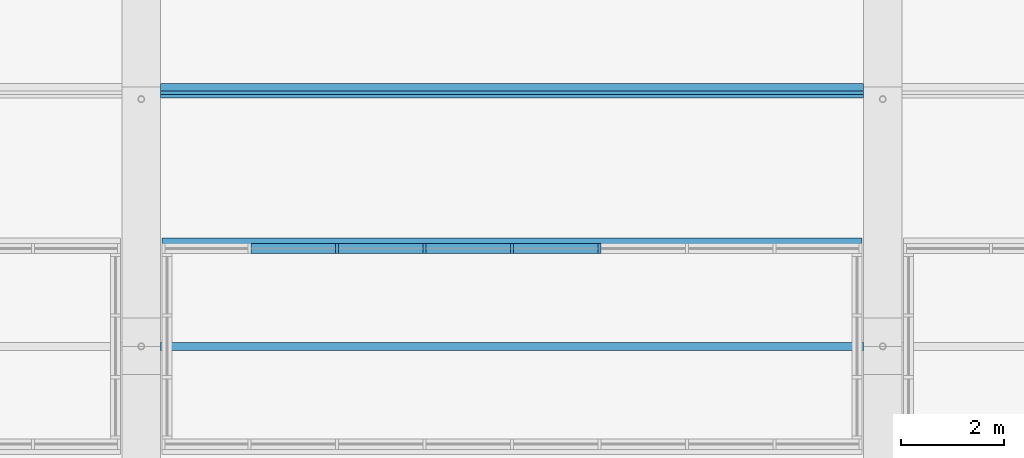
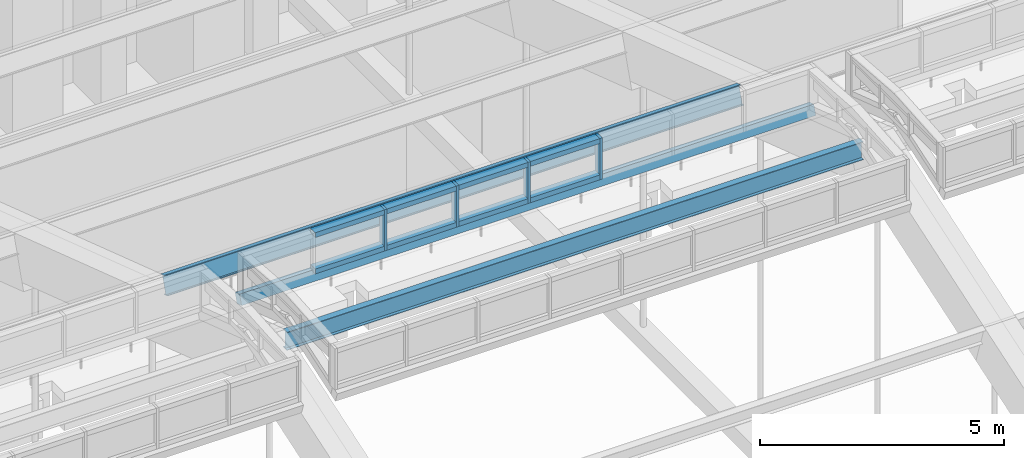
# One storey, part 61 of 149: 15 members, 1 element without a shape of its own.
"""IFC4 building model written with IfcOpenShell, lengths in metres."""

from ifc_helpers import new_model, si_unit, direction, frame, origin, origin_2d, place, context, subcontext, project, spatial, rectangle, i_section, extrude, material, material_profile, profile_set, type_object, element, aggregate, save


model = new_model("IFC4")

# Units and contexts
model_context = context("Model", 3, precision=1e-05, world=origin(), true_north=direction((0.0, 1.0)))
body_context = subcontext(model_context, "Body", "Model", "MODEL_VIEW")
ifc_project = project(units=[si_unit("LENGTHUNIT", "METRE"), si_unit("AREAUNIT", "SQUARE_METRE"), si_unit("VOLUMEUNIT", "CUBIC_METRE"), si_unit("PLANEANGLEUNIT", "RADIAN"), si_unit("MASSUNIT", "GRAM", prefix="KILO")], contexts=[model_context])

# Site, building, storey
site_placement = place(None, origin())
site = spatial("IfcSite", under=ifc_project, at=site_placement, CompositionType="ELEMENT")
building_placement = place(site_placement, origin())
building = spatial("IfcBuilding", under=site, at=building_placement, Name="Alderwick Market Hall", CompositionType="ELEMENT")
storey_placement = place(building_placement, frame((0.0, 0.0, 9.60009765625)))
storey = spatial("IfcBuildingStorey", under=building, at=storey_placement, Name="L01", CompositionType="ELEMENT", Elevation=9.60009765625)

# Curtain wall, members
ifc_material_1 = material(Name="Aluminium", Category="aluminium")
curtain_wall_type = type_object("IfcCurtainWallType", Name="R Curtain Wall Frame", PredefinedType="NOTDEFINED", material=ifc_material_1)
curtain_wall_placement = place(storey_placement, origin())
curtain_wall = element("IfcCurtainWall", 1, at=curtain_wall_placement, inside=storey, type_object=curtain_wall_type, Name="Curtain wall LCW N5", PredefinedType="NOTDEFINED")
ifc_material_profile_1 = material_profile(ifc_material_1, rectangle(XDim=0.199951171875, YDim=0.06005859375, at=origin_2d()), Name="AL 60x200")
ifc_profile_set_1 = profile_set([ifc_material_profile_1], Name="Aluminium")
member_type_1 = type_object("IfcMemberType", Name="R CW Mullion 60x200", PredefinedType="MULLION", material=ifc_profile_set_1)
member_1_placement = place(storey_placement, frame((111.800048828125, 81.10009765625, 16.670166015625), z_axis=(0.0, 0.0, 1.0), x_axis=(0.0, 1.0, 0.0)))
member_1 = element("IfcMember", 2, at=member_1_placement, type_object=member_type_1, Name="LCW N5 mullion 3", PredefinedType="MULLION", context=body_context, shape_type="SweptSolid", body=[
    extrude(rectangle(XDim=0.199951171875, YDim=0.06005859375, at=origin_2d()), origin(), (0.0, 0.0, 1.0), 1.02978515625),
])
member_2_placement = place(storey_placement, frame((113.5, 81.10009765625, 16.670166015625), z_axis=(0.0, 0.0, 1.0), x_axis=(0.0, 1.0, 0.0)))
member_2 = element("IfcMember", 3, at=member_2_placement, type_object=member_type_1, Name="LCW N5 mullion 4", PredefinedType="MULLION", context=body_context, shape_type="SweptSolid", body=[
    extrude(rectangle(XDim=0.199951171875, YDim=0.06005859375, at=origin_2d()), origin(), (0.0, 0.0, 1.0), 1.02978515625),
])
member_3_placement = place(storey_placement, frame((115.199951171875, 81.10009765625, 16.670166015625), z_axis=(0.0, 0.0, 1.0), x_axis=(0.0, 1.0, 0.0)))
member_3 = element("IfcMember", 4, at=member_3_placement, type_object=member_type_1, Name="LCW N5 mullion 5", PredefinedType="MULLION", context=body_context, shape_type="SweptSolid", body=[
    extrude(rectangle(XDim=0.199951171875, YDim=0.06005859375, at=origin_2d()), origin(), (0.0, 0.0, 1.0), 1.02978515625),
])
member_4_placement = place(storey_placement, frame((116.89990234375, 81.10009765625, 16.670166015625), z_axis=(0.0, 0.0, 1.0), x_axis=(0.0, 1.0, 0.0)))
member_4 = element("IfcMember", 5, at=member_4_placement, type_object=member_type_1, Name="LCW N5 mullion 6", PredefinedType="MULLION", context=body_context, shape_type="SweptSolid", body=[
    extrude(rectangle(XDim=0.199951171875, YDim=0.06005859375, at=origin_2d()), origin(), (0.0, 0.0, 1.0), 1.02978515625),
])
ifc_material_profile_2 = material_profile(ifc_material_1, rectangle(XDim=0.199951171875, YDim=0.1201171875, at=origin_2d()), Name="AL 120x200")
ifc_profile_set_2 = profile_set([ifc_material_profile_2], Name="Aluminium")
member_type_2 = type_object("IfcMemberType", Name="R CW Transom 120x200", PredefinedType="USERDEFINED", material=ifc_profile_set_2)
member_5_placement = place(storey_placement, frame((110.1298828125, 81.10009765625, 16.730224609375), z_axis=(1.0, 0.0, 0.0), x_axis=(0.0, 1.0, 0.0)))
member_5 = element("IfcMember", 6, at=member_5_placement, type_object=member_type_2, Name="LCW N5 sill transom 2", ObjectType="TRANSOM", PredefinedType="USERDEFINED", context=body_context, shape_type="SweptSolid", body=[
    extrude(rectangle(XDim=0.199951171875, YDim=0.1201171875, at=origin_2d()), origin(), (0.0, 0.0, 1.0), 1.64013671875),
])
member_6_placement = place(storey_placement, frame((110.1298828125, 81.10009765625, 17.639892578125), z_axis=(1.0, 0.0, 0.0), x_axis=(0.0, 1.0, 0.0)))
member_6 = element("IfcMember", 7, at=member_6_placement, type_object=member_type_2, Name="LCW N5 head transom 2", ObjectType="TRANSOM", PredefinedType="USERDEFINED", context=body_context, shape_type="SweptSolid", body=[
    extrude(rectangle(XDim=0.199951171875, YDim=0.1201171875, at=origin_2d()), origin(), (0.0, 0.0, 1.0), 1.64013671875),
])
member_7_placement = place(storey_placement, frame((111.830078125, 81.10009765625, 16.730224609375), z_axis=(1.0, 0.0, 0.0), x_axis=(0.0, 1.0, 0.0)))
member_7 = element("IfcMember", 8, at=member_7_placement, type_object=member_type_2, Name="LCW N5 sill transom 3", ObjectType="TRANSOM", PredefinedType="USERDEFINED", context=body_context, shape_type="SweptSolid", body=[
    extrude(rectangle(XDim=0.199951171875, YDim=0.1201171875, at=origin_2d()), origin(), (0.0, 0.0, 1.0), 1.639892578125),
])
member_8_placement = place(storey_placement, frame((111.830078125, 81.10009765625, 17.639892578125), z_axis=(1.0, 0.0, 0.0), x_axis=(0.0, 1.0, 0.0)))
member_8 = element("IfcMember", 9, at=member_8_placement, type_object=member_type_2, Name="LCW N5 head transom 3", ObjectType="TRANSOM", PredefinedType="USERDEFINED", context=body_context, shape_type="SweptSolid", body=[
    extrude(rectangle(XDim=0.199951171875, YDim=0.1201171875, at=origin_2d()), origin(), (0.0, 0.0, 1.0), 1.639892578125),
])
member_9_placement = place(storey_placement, frame((113.530029296875, 81.10009765625, 16.730224609375), z_axis=(1.0, 0.0, 0.0), x_axis=(0.0, 1.0, 0.0)))
member_9 = element("IfcMember", 10, at=member_9_placement, type_object=member_type_2, Name="LCW N5 sill transom 4", ObjectType="TRANSOM", PredefinedType="USERDEFINED", context=body_context, shape_type="SweptSolid", body=[
    extrude(rectangle(XDim=0.199951171875, YDim=0.1201171875, at=origin_2d()), origin(), (0.0, 0.0, 1.0), 1.639892578125),
])
member_10_placement = place(storey_placement, frame((113.530029296875, 81.10009765625, 17.639892578125), z_axis=(1.0, 0.0, 0.0), x_axis=(0.0, 1.0, 0.0)))
member_10 = element("IfcMember", 11, at=member_10_placement, type_object=member_type_2, Name="LCW N5 head transom 4", ObjectType="TRANSOM", PredefinedType="USERDEFINED", context=body_context, shape_type="SweptSolid", body=[
    extrude(rectangle(XDim=0.199951171875, YDim=0.1201171875, at=origin_2d()), origin(), (0.0, 0.0, 1.0), 1.639892578125),
])
member_11_placement = place(storey_placement, frame((115.22998046875, 81.10009765625, 16.730224609375), z_axis=(1.0, 0.0, 0.0), x_axis=(0.0, 1.0, 0.0)))
member_11 = element("IfcMember", 12, at=member_11_placement, type_object=member_type_2, Name="LCW N5 sill transom 5", ObjectType="TRANSOM", PredefinedType="USERDEFINED", context=body_context, shape_type="SweptSolid", body=[
    extrude(rectangle(XDim=0.199951171875, YDim=0.1201171875, at=origin_2d()), origin(), (0.0, 0.0, 1.0), 1.64013671875),
])
member_12_placement = place(storey_placement, frame((115.22998046875, 81.10009765625, 17.639892578125), z_axis=(1.0, 0.0, 0.0), x_axis=(0.0, 1.0, 0.0)))
member_12 = element("IfcMember", 13, at=member_12_placement, type_object=member_type_2, Name="LCW N5 head transom 5", ObjectType="TRANSOM", PredefinedType="USERDEFINED", context=body_context, shape_type="SweptSolid", body=[
    extrude(rectangle(XDim=0.199951171875, YDim=0.1201171875, at=origin_2d()), origin(), (0.0, 0.0, 1.0), 1.64013671875),
])
ifc_material_2 = material(Name="Steel ASTM A572 Grade 50", Category="steel")
ifc_material_profile_3 = material_profile(ifc_material_2, rectangle(XDim=0.199951171875, YDim=0.25, at=origin_2d()), Name="Steel plate curb 200x250")
ifc_profile_set_3 = profile_set([ifc_material_profile_3], Name="Steel ASTM A572 Grade 50")
member_type_3 = type_object("IfcMemberType", Name="R Lantern Curb 200x250", PredefinedType="MEMBER", material=ifc_profile_set_3)
member_13_placement = place(storey_placement, frame((108.39990234375, 81.164794921875, 16.551513671875), z_axis=(1.0, 0.0, 0.0), x_axis=(0.0, 0.948683297073, -0.316227768949)))
member_13 = element("IfcMember", 14, at=member_13_placement, type_object=member_type_3, Name="Lantern curb N5", PredefinedType="MEMBER", context=body_context, shape_type="SweptSolid", body=[
    extrude(rectangle(XDim=0.199951171875, YDim=0.25, at=origin_2d()), origin(), (0.0, 0.0, 1.0), 13.60009765625),
])
aggregate(curtain_wall, [member_1, member_2, member_3, member_4, member_5, member_6, member_7, member_8, member_9, member_10, member_11, member_12, member_13])

# Members
ifc_material_3 = material(Name="Steel ASTM A992 Grade 50", Category="steel")
ifc_material_profile_4 = material_profile(ifc_material_3, i_section(OverallWidth=0.153076171875, OverallDepth=0.455078125, WebThickness=0.008056640625, FlangeThickness=0.01318359375, at=origin_2d()), Name="W18x40")
ifc_profile_set_4 = profile_set([ifc_material_profile_4], Name="Steel ASTM A992 Grade 50")
member_type_4 = type_object("IfcMemberType", Name="R Purlin W18x40", PredefinedType="PURLIN", material=ifc_profile_set_4)
for number, where, z_axis, x_axis, name in (
    (15, (108.375, 79.199951171875, 16.7314453125), (1.0, 0.0, 0.0), (0.0, 1.0, 0.0), "Roof purlin 7.5"),
    (16, (108.375, 84.163330078125, 15.08984375), (1.0, 0.0, 0.0), (0.0, 0.948683297073, -0.316227768949), "Roof purlin 8.5"),
):
    element("IfcMember", number, at=place(storey_placement, frame(where, z_axis=z_axis, x_axis=x_axis)), inside=storey, type_object=member_type_4, Name=name, PredefinedType="PURLIN", context=body_context, shape_type="SweptSolid", body=[
        extrude(i_section(OverallWidth=0.153076171875, OverallDepth=0.455078125, WebThickness=0.008056640625, FlangeThickness=0.01318359375, at=origin_2d()), origin(), (0.0, 0.0, 1.0), 13.64990234375),
    ])

save(model, "model.ifc")
